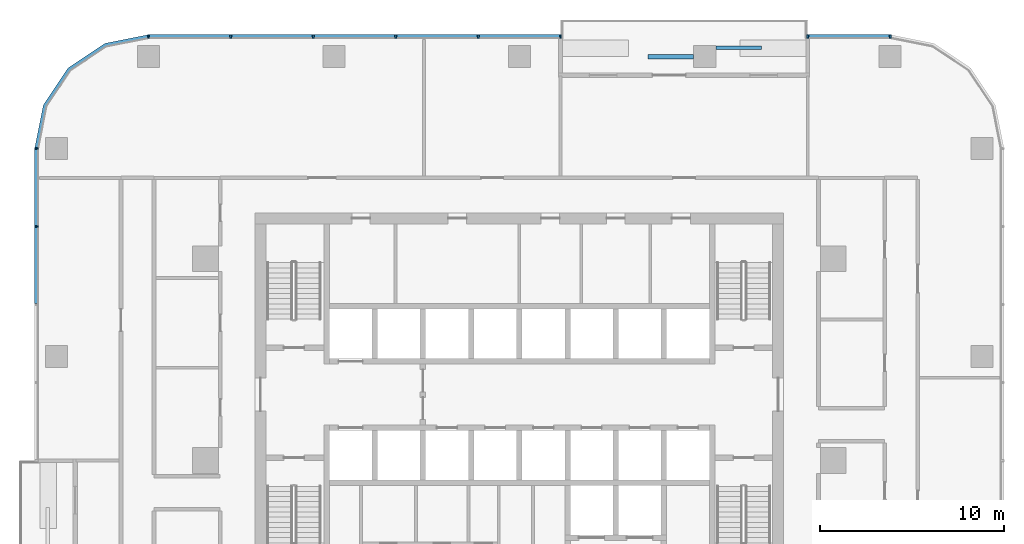
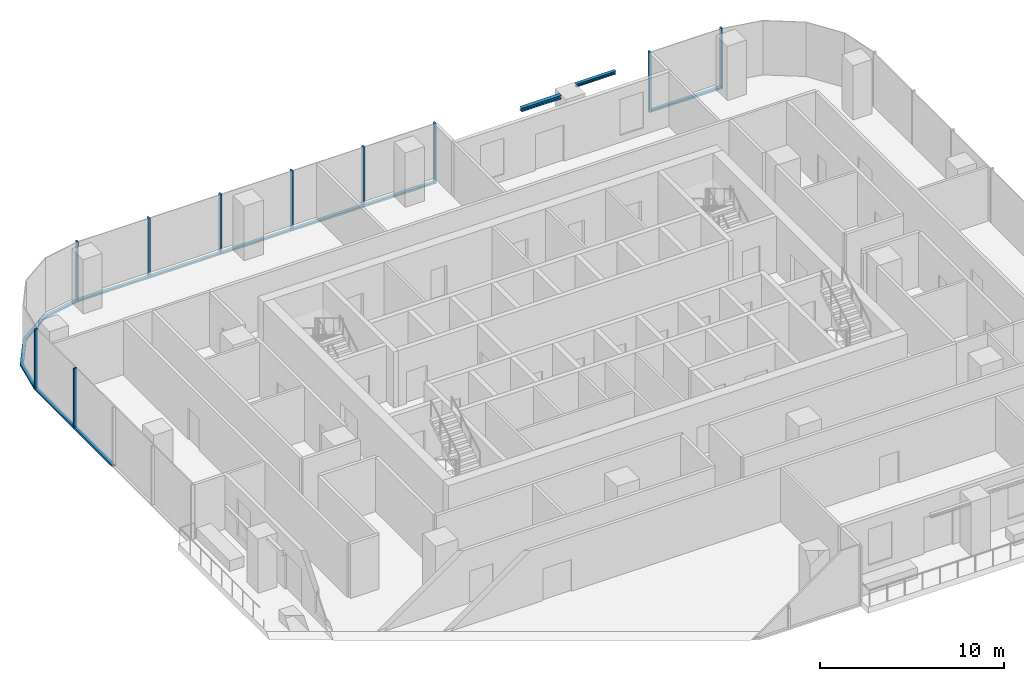
# One storey, part 4 of 14: 19 members, 2 beams, 4 elements without a shape of their own.
"""IFC4 building model written with IfcOpenShell, lengths in metres."""

import ifcopenshell
import ifcopenshell.guid

model = None  # the IFC model being written
_history = None  # IfcOwnerHistory: only IFC2X3 demands one
_inside = {}  # id of a spatial element -> (the spatial element, [elements in it])
_under = {}  # id of a project, library or spatial element -> (it, [spatial elements below it])
_declared = {}  # id of a project -> (the project, [libraries it declares])
_typed = {}  # id of a type object -> (the type object, [elements of that type])
_made_of = {}  # id of a material, layer set ... -> (it, [elements and type objects made of it])


def new_model(schema):
    """Start an empty IFC model of exactly this schema.

    Asked for "IFC4X3", IfcOpenShell would pick the latest addendum, in which some entities
    have other attributes; the version numbers below select the first issue.
    IFC2X3 requires an IfcOwnerHistory on every rooted entity: one is made here for all.
    """
    global model, _history
    if schema == "IFC4X3":
        model = ifcopenshell.file(schema_version=(4, 3, 0, 0))
    else:
        model = ifcopenshell.file(schema=schema)
    _inside.clear()
    _under.clear()
    _declared.clear()
    _typed.clear()
    _made_of.clear()
    _history = None
    if model.schema == "IFC2X3":
        org = make("IfcOrganization", Name="unknown")
        user = make(
            "IfcPersonAndOrganization",
            ThePerson=make("IfcPerson", FamilyName="unknown"),
            TheOrganization=org,
        )
        app = make(
            "IfcApplication",
            ApplicationDeveloper=org,
            Version="unknown",
            ApplicationFullName="unknown",
            ApplicationIdentifier="unknown",
        )
        _history = make(
            "IfcOwnerHistory",
            OwningUser=user,
            OwningApplication=app,
            ChangeAction="ADDED",
            CreationDate=0,
        )
    return model


def make(cls, **values):
    """One entity of the class cls with the attributes given. An attribute that is None is left unset."""
    return model.create_entity(
        cls, **{name: value for name, value in values.items() if value is not None}
    )


def rooted(cls, **values):
    """An entity with a GlobalId (a new one), such as an element, a storey or a relation."""
    return make(cls, GlobalId=ifcopenshell.guid.new(), OwnerHistory=_history, **values)


def si_unit(unit_type, name, prefix=None):
    """IfcSIUnit, for example si_unit("LENGTHUNIT", "METRE", prefix="MILLI")."""
    return make("IfcSIUnit", UnitType=unit_type, Prefix=prefix, Name=name)


def assignment(units):
    """IfcUnitAssignment: the units of a project."""
    return None if units is None else make("IfcUnitAssignment", Units=units)


def point(xyz):
    """IfcCartesianPoint."""
    return None if xyz is None else make("IfcCartesianPoint", Coordinates=xyz)


def direction(xyz):
    """IfcDirection."""
    return None if xyz is None else make("IfcDirection", DirectionRatios=xyz)


def frame(location, z_axis=None, x_axis=None):
    """IfcAxis2Placement3D, a coordinate frame: its origin and axes. An axis left out is left unset."""
    return make(
        "IfcAxis2Placement3D",
        Location=point(location),
        Axis=direction(z_axis),
        RefDirection=direction(x_axis),
    )


def frame_2d(location, x_axis=None):
    """IfcAxis2Placement2D, a coordinate frame in the plane: its origin and x axis."""
    return make(
        "IfcAxis2Placement2D", Location=point(location), RefDirection=direction(x_axis)
    )


def origin():
    """The frame at (0, 0, 0) with its axes left unset."""
    return frame((0.0, 0.0, 0.0))


def origin_2d():
    """The frame at (0, 0) in the plane with its x axis left unset."""
    return frame_2d((0.0, 0.0))


def place(relative_to, where):
    """IfcLocalPlacement: puts the frame where relative to a parent placement (None: the world)."""
    return make(
        "IfcLocalPlacement", PlacementRelTo=relative_to, RelativePlacement=where
    )


def context(
    kind, dimensions, precision=None, world=None, true_north=None, identifier=None
):
    """IfcGeometricRepresentationContext, for example the 3D "Model" context."""
    return make(
        "IfcGeometricRepresentationContext",
        ContextIdentifier=identifier,
        ContextType=kind,
        CoordinateSpaceDimension=dimensions,
        Precision=precision,
        WorldCoordinateSystem=world,
        TrueNorth=true_north,
    )


def subcontext(parent, identifier, kind, view, scale=None):
    """IfcGeometricRepresentationSubContext, for example "Body" below "Model"."""
    return make(
        "IfcGeometricRepresentationSubContext",
        ContextIdentifier=identifier,
        ContextType=kind,
        ParentContext=parent,
        TargetScale=scale,
        TargetView=view,
    )


def project(units=None, contexts=None):
    """IfcProject with its units and contexts."""
    return rooted(
        "IfcProject",
        Name="project",
        RepresentationContexts=contexts,
        UnitsInContext=assignment(units),
    )


def spatial(cls, under=None, at=None, **own):
    """A site, building, storey or space (cls), placed at a placement, below another one or the project."""
    s = rooted(cls, ObjectPlacement=at, **own)
    if under is not None:
        _under.setdefault(under.id(), (under, []))[1].append(s)
    return s


def polyline(points):
    """IfcPolyline through the points."""
    return make("IfcPolyline", Points=[point(p) for p in points])


def profile(cls, at=None, kind="AREA", **sizes):
    """A parametric profile (cls). Its sizes go by their IFC names, for example OverallWidth=200.0."""
    return make(cls, ProfileType=kind, Position=at, **sizes)


def rectangle(**sizes):
    """IfcRectangleProfileDef."""
    return profile("IfcRectangleProfileDef", **sizes)


def i_section(**sizes):
    """IfcIShapeProfileDef."""
    return profile("IfcIShapeProfileDef", **sizes)


def outline(outer, holes=None, kind="AREA"):
    """IfcArbitraryClosedProfileDef: a profile drawn as a closed curve; with holes, ...WithVoids."""
    if holes is None:
        return make("IfcArbitraryClosedProfileDef", ProfileType=kind, OuterCurve=outer)
    return make(
        "IfcArbitraryProfileDefWithVoids",
        ProfileType=kind,
        OuterCurve=outer,
        InnerCurves=holes,
    )


def extrude(swept, where, along, depth):
    """IfcExtrudedAreaSolid: the profile swept, set in the frame where, extruded along a direction by depth."""
    return make(
        "IfcExtrudedAreaSolid",
        SweptArea=swept,
        Position=where,
        ExtrudedDirection=direction(along),
        Depth=depth,
    )


def shape(context_of_items, identifier, shape_type, items):
    """IfcShapeRepresentation: the items that make up one representation, for example the "Body"."""
    return make(
        "IfcShapeRepresentation",
        ContextOfItems=context_of_items,
        RepresentationIdentifier=identifier,
        RepresentationType=shape_type,
        Items=items,
    )


def material(Name=None, Category=None):
    """IfcMaterial."""
    return make("IfcMaterial", Name=Name, Category=Category)


def material_profile(
    of_material, cross_section, Name=None, Category=None, Priority=None
):
    """IfcMaterialProfile: a cross section and its material."""
    return make(
        "IfcMaterialProfile",
        Name=Name,
        Material=of_material,
        Profile=cross_section,
        Priority=Priority,
        Category=Category,
    )


def profile_set(profiles, Name=None, composite=None):
    """IfcMaterialProfileSet."""
    return make(
        "IfcMaterialProfileSet",
        Name=Name,
        MaterialProfiles=profiles,
        CompositeProfile=composite,
    )


def made_of(thing, what):
    """Note that an element or type object is made of a material, layer set ...; save() writes the relation."""
    if what is not None:
        _made_of.setdefault(what.id(), (what, []))[1].append(thing)
    return thing


def type_object(cls, material=None, **own):
    """A type object (cls), such as IfcWallType, which elements share."""
    return made_of(rooted(cls, **own), material)


def element(
    cls,
    number,
    at=None,
    inside=None,
    cuts=None,
    type_object=None,
    material=None,
    context=None,
    identifier="Body",
    shape_type=None,
    held_by="IfcProductDefinitionShape",
    body=None,
    shapes=None,
    **own,
):
    """One element of the class cls, such as IfcWall. Its Tag is "e" and its number.

    at: its placement. inside: the storey or other place that contains it. cuts: it is an
    opening in that element (IfcRelVoidsElement). A single representation is given by context,
    identifier, shape_type and body (its items); several are given by shapes. held_by: the class
    of the entity that holds the representations. save() writes the other relations.
    """
    e = rooted(cls, Tag="e%d" % number, ObjectPlacement=at, **own)
    if body is not None:
        shapes = [shape(context, identifier, shape_type, body)]
    if shapes is not None:
        e.Representation = make(held_by, Representations=shapes)
    if inside is not None:
        _inside.setdefault(inside.id(), (inside, []))[1].append(e)
    if cuts is not None:
        rooted(
            "IfcRelVoidsElement", RelatingBuildingElement=cuts, RelatedOpeningElement=e
        )
    if type_object is not None:
        _typed.setdefault(type_object.id(), (type_object, []))[1].append(e)
    return made_of(e, material)


def aggregate(whole, parts):
    """IfcRelAggregates: a whole, such as a stair, and the parts it consists of."""
    return rooted("IfcRelAggregates", RelatingObject=whole, RelatedObjects=parts)


def save(model, path):
    """Write the relations noted so far, then the file.

    IfcRelAggregates (storeys below a building ...), IfcRelContainedInSpatialStructure (elements
    in a storey), IfcRelDefinesByType, IfcRelAssociatesMaterial and IfcRelDeclares: one each for
    every whole, place, type object, material and project.
    """
    for whole, parts in _under.values():
        aggregate(whole, parts)
    for where, things in _inside.values():
        rooted(
            "IfcRelContainedInSpatialStructure",
            RelatedElements=things,
            RelatingStructure=where,
        )
    for kind, things in _typed.values():
        rooted("IfcRelDefinesByType", RelatedObjects=things, RelatingType=kind)
    for what, things in _made_of.values():
        rooted("IfcRelAssociatesMaterial", RelatedObjects=things, RelatingMaterial=what)
    for by, libraries in _declared.values():
        rooted("IfcRelDeclares", RelatingContext=by, RelatedDefinitions=libraries)
    model.write(path)


model = new_model("IFC4")

# Units and contexts
model_context = context("Model", 3, precision=1e-05, world=origin(), true_north=direction((0.0, 1.0)))
body_context = subcontext(model_context, "Body", "Model", "MODEL_VIEW")
ifc_project = project(units=[si_unit("LENGTHUNIT", "METRE"), si_unit("AREAUNIT", "SQUARE_METRE"), si_unit("VOLUMEUNIT", "CUBIC_METRE"), si_unit("PLANEANGLEUNIT", "RADIAN"), si_unit("MASSUNIT", "GRAM", prefix="KILO")], contexts=[model_context])

# Site, building, storey
site_placement = place(None, origin())
site = spatial("IfcSite", under=ifc_project, at=site_placement, CompositionType="ELEMENT")
building_placement = place(site_placement, origin())
building = spatial("IfcBuilding", under=site, at=building_placement, Name="Mopane Tessera Tower", CompositionType="ELEMENT")
storey_placement = place(building_placement, frame((0.0, 0.0, 185.0)))
storey = spatial("IfcBuildingStorey", under=building, at=storey_placement, Name="L38", CompositionType="ELEMENT", Elevation=185.0)

# Curtain wall, members
ifc_material_1 = material(Name="Aluminium frame", Category="aluminium")
curtain_wall_type = type_object("IfcCurtainWallType", Name="Unitised curtain wall", PredefinedType="NOTDEFINED", material=ifc_material_1)
curtain_wall_1_placement = place(storey_placement, origin())
curtain_wall_1 = element("IfcCurtainWall", 1, at=curtain_wall_1_placement, inside=storey, type_object=curtain_wall_type, Name="e:cw:L38:N:0", PredefinedType="NOTDEFINED")
ifc_material_2 = material(Name="Aluminium frame", Category="aluminium")
ifc_material_profile_1 = material_profile(ifc_material_2, rectangle(XDim=0.10009765625, YDim=0.199951171875, at=origin_2d()))
ifc_profile_set_1 = profile_set([ifc_material_profile_1], Name="Aluminium frame")
member_type_1 = type_object("IfcMemberType", Name="Aluminium mullion 100 x 200", PredefinedType="MULLION", material=ifc_profile_set_1)
member_1_placement = place(storey_placement, frame((20.199951171875, 23.10009765625, -0.39990234375), z_axis=(0.0, 0.0, 1.0), x_axis=(-1.0, 0.0, 0.0)))
member_1 = element("IfcMember", 2, at=member_1_placement, type_object=member_type_1, Name="e:cw:L38:N:0:mu0", PredefinedType="MULLION", context=body_context, shape_type="SweptSolid", body=[
    extrude(rectangle(XDim=0.10009765625, YDim=0.199951171875, at=origin_2d()), origin(), (0.0, 0.0, 1.0), 4.0),
])
member_2_placement = place(storey_placement, frame((15.711181640625, 23.10009765625, -0.39990234375), z_axis=(0.0, 0.0, 1.0), x_axis=(-1.0, 0.0, 0.0)))
member_2 = element("IfcMember", 3, at=member_2_placement, type_object=member_type_1, Name="e:cw:L38:N:0:mu1", PredefinedType="MULLION", context=body_context, shape_type="SweptSolid", body=[
    extrude(rectangle(XDim=0.10009765625, YDim=0.199951171875, at=origin_2d()), origin(), (0.0, 0.0, 1.0), 4.0),
])

curtain_wall_2_placement = place(storey_placement, origin())
curtain_wall_2 = element("IfcCurtainWall", 4, at=curtain_wall_2_placement, inside=storey, type_object=curtain_wall_type, Name="e:cw:L38:N:4", PredefinedType="NOTDEFINED")
member_3_placement = place(storey_placement, frame((2.244384765625, 23.10009765625, -0.39990234375), z_axis=(0.0, 0.0, 1.0), x_axis=(-1.0, 0.0, 0.0)))
member_3 = element("IfcMember", 5, at=member_3_placement, type_object=member_type_1, Name="e:cw:L38:N:4:mu4", PredefinedType="MULLION", context=body_context, shape_type="SweptSolid", body=[
    extrude(rectangle(XDim=0.10009765625, YDim=0.199951171875, at=origin_2d()), origin(), (0.0, 0.0, 1.0), 4.0),
])
member_4_placement = place(storey_placement, frame((-2.244384765625, 23.10009765625, -0.39990234375), z_axis=(0.0, 0.0, 1.0), x_axis=(-1.0, 0.0, 0.0)))
member_4 = element("IfcMember", 6, at=member_4_placement, type_object=member_type_1, Name="e:cw:L38:N:4:mu5", PredefinedType="MULLION", context=body_context, shape_type="SweptSolid", body=[
    extrude(rectangle(XDim=0.10009765625, YDim=0.199951171875, at=origin_2d()), origin(), (0.0, 0.0, 1.0), 4.0),
])
member_5_placement = place(storey_placement, frame((-6.7333984375, 23.10009765625, -0.39990234375), z_axis=(0.0, 0.0, 1.0), x_axis=(-1.0, 0.0, 0.0)))
member_5 = element("IfcMember", 7, at=member_5_placement, type_object=member_type_1, Name="e:cw:L38:N:4:mu6", PredefinedType="MULLION", context=body_context, shape_type="SweptSolid", body=[
    extrude(rectangle(XDim=0.10009765625, YDim=0.199951171875, at=origin_2d()), origin(), (0.0, 0.0, 1.0), 4.0),
])
member_6_placement = place(storey_placement, frame((-11.22216796875, 23.10009765625, -0.39990234375), z_axis=(0.0, 0.0, 1.0), x_axis=(-1.0, 0.0, 0.0)))
member_6 = element("IfcMember", 8, at=member_6_placement, type_object=member_type_1, Name="e:cw:L38:N:4:mu7", PredefinedType="MULLION", context=body_context, shape_type="SweptSolid", body=[
    extrude(rectangle(XDim=0.10009765625, YDim=0.199951171875, at=origin_2d()), origin(), (0.0, 0.0, 1.0), 4.0),
])
member_7_placement = place(storey_placement, frame((-15.711181640625, 23.10009765625, -0.39990234375), z_axis=(0.0, 0.0, 1.0), x_axis=(-1.0, 0.0, 0.0)))
member_7 = element("IfcMember", 9, at=member_7_placement, type_object=member_type_1, Name="e:cw:L38:N:4:mu8", PredefinedType="MULLION", context=body_context, shape_type="SweptSolid", body=[
    extrude(rectangle(XDim=0.10009765625, YDim=0.199951171875, at=origin_2d()), origin(), (0.0, 0.0, 1.0), 4.0),
])
member_8_placement = place(storey_placement, frame((-20.199951171875, 23.10009765625, -0.39990234375), z_axis=(0.0, 0.0, 1.0), x_axis=(-1.0, 0.0, 0.0)))
member_8 = element("IfcMember", 10, at=member_8_placement, type_object=member_type_1, Name="e:cw:L38:N:4:mu9", PredefinedType="MULLION", context=body_context, shape_type="SweptSolid", body=[
    extrude(rectangle(XDim=0.10009765625, YDim=0.199951171875, at=origin_2d()), origin(), (0.0, 0.0, 1.0), 4.0),
])

curtain_wall_3_placement = place(storey_placement, origin())
curtain_wall_3 = element("IfcCurtainWall", 11, at=curtain_wall_3_placement, inside=storey, type_object=curtain_wall_type, Name="e:cw:L38:W:0", PredefinedType="NOTDEFINED")
member_9_placement = place(storey_placement, frame((-26.300048828125, 17.0, -0.39990234375), z_axis=(0.0, 0.0, 1.0), x_axis=(0.0, -1.0, 0.0)))
member_9 = element("IfcMember", 12, at=member_9_placement, type_object=member_type_1, Name="e:cw:L38:W:0:mu0", PredefinedType="MULLION", context=body_context, shape_type="SweptSolid", body=[
    extrude(rectangle(XDim=0.10009765625, YDim=0.199951171875, at=origin_2d()), origin(), (0.0, 0.0, 1.0), 4.0),
])
member_10_placement = place(storey_placement, frame((-26.300048828125, 12.75, -0.39990234375), z_axis=(0.0, 0.0, 1.0), x_axis=(0.0, -1.0, 0.0)))
member_10 = element("IfcMember", 13, at=member_10_placement, type_object=member_type_1, Name="e:cw:L38:W:0:mu1", PredefinedType="MULLION", context=body_context, shape_type="SweptSolid", body=[
    extrude(rectangle(XDim=0.10009765625, YDim=0.199951171875, at=origin_2d()), origin(), (0.0, 0.0, 1.0), 4.0),
])

# Member
ifc_material_3 = material(Name="Aluminium frame", Category="aluminium")
ifc_material_profile_2 = material_profile(ifc_material_3, rectangle(XDim=0.199951171875, YDim=0.1201171875, at=origin_2d()))
ifc_profile_set_2 = profile_set([ifc_material_profile_2], Name="Aluminium frame")
member_type_2 = type_object("IfcMemberType", Name="Aluminium transom 200 x 120", PredefinedType="USERDEFINED", material=ifc_profile_set_2)
member_11_placement = place(storey_placement, frame((20.14990234375, 23.10009765625, -0.340087890625), z_axis=(-1.0, 0.0, 0.0), x_axis=(0.0, -1.0, 0.0)))
member_11 = element("IfcMember", 14, at=member_11_placement, type_object=member_type_2, Name="e:cw:L38:N:0:tr0", ObjectType="TRANSOM", PredefinedType="USERDEFINED", context=body_context, shape_type="SweptSolid", body=[
    extrude(rectangle(XDim=0.199951171875, YDim=0.1201171875, at=origin_2d()), origin(), (0.0, 0.0, 1.0), 4.388671875),
])

aggregate(curtain_wall_1, [member_1, member_2, member_11])

member_12_placement = place(storey_placement, frame((2.1943359375, 23.10009765625, -0.340087890625), z_axis=(-1.0, 0.0, 0.0), x_axis=(0.0, -1.0, 0.0)))
member_12 = element("IfcMember", 15, at=member_12_placement, type_object=member_type_2, Name="e:cw:L38:N:4:tr4", ObjectType="TRANSOM", PredefinedType="USERDEFINED", context=body_context, shape_type="SweptSolid", body=[
    extrude(rectangle(XDim=0.199951171875, YDim=0.1201171875, at=origin_2d()), origin(), (0.0, 0.0, 1.0), 4.388671875),
])

member_13_placement = place(storey_placement, frame((-2.29443359375, 23.10009765625, -0.340087890625), z_axis=(-1.0, 0.0, 0.0), x_axis=(0.0, -1.0, 0.0)))
member_13 = element("IfcMember", 16, at=member_13_placement, type_object=member_type_2, Name="e:cw:L38:N:4:tr5", ObjectType="TRANSOM", PredefinedType="USERDEFINED", context=body_context, shape_type="SweptSolid", body=[
    extrude(rectangle(XDim=0.199951171875, YDim=0.1201171875, at=origin_2d()), origin(), (0.0, 0.0, 1.0), 4.388916015625),
])

member_14_placement = place(storey_placement, frame((-6.783447265625, 23.10009765625, -0.340087890625), z_axis=(-1.0, 0.0, 0.0), x_axis=(0.0, -1.0, 0.0)))
member_14 = element("IfcMember", 17, at=member_14_placement, type_object=member_type_2, Name="e:cw:L38:N:4:tr6", ObjectType="TRANSOM", PredefinedType="USERDEFINED", context=body_context, shape_type="SweptSolid", body=[
    extrude(rectangle(XDim=0.199951171875, YDim=0.1201171875, at=origin_2d()), origin(), (0.0, 0.0, 1.0), 4.388671875),
])

member_15_placement = place(storey_placement, frame((-11.272216796875, 23.10009765625, -0.340087890625), z_axis=(-1.0, 0.0, 0.0), x_axis=(0.0, -1.0, 0.0)))
member_15 = element("IfcMember", 18, at=member_15_placement, type_object=member_type_2, Name="e:cw:L38:N:4:tr7", ObjectType="TRANSOM", PredefinedType="USERDEFINED", context=body_context, shape_type="SweptSolid", body=[
    extrude(rectangle(XDim=0.199951171875, YDim=0.1201171875, at=origin_2d()), origin(), (0.0, 0.0, 1.0), 4.388916015625),
])

member_16_placement = place(storey_placement, frame((-15.76123046875, 23.10009765625, -0.340087890625), z_axis=(-1.0, 0.0, 0.0), x_axis=(0.0, -1.0, 0.0)))
member_16 = element("IfcMember", 19, at=member_16_placement, type_object=member_type_2, Name="e:cw:L38:N:4:tr8", ObjectType="TRANSOM", PredefinedType="USERDEFINED", context=body_context, shape_type="SweptSolid", body=[
    extrude(rectangle(XDim=0.199951171875, YDim=0.1201171875, at=origin_2d()), origin(), (0.0, 0.0, 1.0), 4.388671875),
])

aggregate(curtain_wall_2, [member_3, member_4, member_5, member_6, member_7, member_8, member_12, member_13, member_14, member_15, member_16])

# Curtain wall, member
curtain_wall_4_placement = place(storey_placement, origin())
curtain_wall_4 = element("IfcCurtainWall", 20, at=curtain_wall_4_placement, inside=storey, type_object=curtain_wall_type, Name="e:cw:L38:CN", PredefinedType="NOTDEFINED")
member_17_placement = place(storey_placement, frame((0.0, 0.0, -0.39990234375)))
member_17 = element("IfcMember", 21, at=member_17_placement, type_object=member_type_2, Name="e:cw:L38:CN:tr", ObjectType="TRANSOM", PredefinedType="USERDEFINED", context=body_context, shape_type="SweptSolid", body=[
    extrude(outline(polyline([(-20.199951171875, 23.0), (-22.49609375, 22.543212890625), (-24.442626953125, 21.24267578125), (-25.7431640625, 19.296142578125), (-26.199951171875, 17.0), (-26.39990234375, 17.0), (-25.927978515625, 19.37255859375), (-24.583984375, 21.384033203125), (-22.57275390625, 22.72802734375), (-20.199951171875, 23.199951171875), (-20.199951171875, 23.0)])), origin(), (0.0, 0.0, 1.0), 0.119873046875),
])
aggregate(curtain_wall_4, [member_17])

# Member
member_18_placement = place(storey_placement, frame((-26.300048828125, 16.949951171875, -0.340087890625), z_axis=(0.0, -1.0, 0.0), x_axis=(1.0, 0.0, 0.0)))
member_18 = element("IfcMember", 22, at=member_18_placement, type_object=member_type_2, Name="e:cw:L38:W:0:tr0", ObjectType="TRANSOM", PredefinedType="USERDEFINED", context=body_context, shape_type="SweptSolid", body=[
    extrude(rectangle(XDim=0.199951171875, YDim=0.1201171875, at=origin_2d()), origin(), (0.0, 0.0, 1.0), 4.14990234375),
])

member_19_placement = place(storey_placement, frame((-26.300048828125, 12.699951171875, -0.340087890625), z_axis=(0.0, -1.0, 0.0), x_axis=(1.0, 0.0, 0.0)))
member_19 = element("IfcMember", 23, at=member_19_placement, type_object=member_type_2, Name="e:cw:L38:W:0:tr1", ObjectType="TRANSOM", PredefinedType="USERDEFINED", context=body_context, shape_type="SweptSolid", body=[
    extrude(rectangle(XDim=0.199951171875, YDim=0.1201171875, at=origin_2d()), origin(), (0.0, 0.0, 1.0), 4.14990234375),
])

aggregate(curtain_wall_3, [member_9, member_10, member_18, member_19])

# Beams
ifc_material_4 = material(Name="Structural steel S460", Category="steel")
ifc_material_profile_3 = material_profile(ifc_material_4, i_section(OverallWidth=0.239990234375, OverallDepth=0.239990234375, WebThickness=0.010009765625, FlangeThickness=0.01708984375, FilletRadius=0.02099609375, at=origin_2d()))
ifc_profile_set_3 = profile_set([ifc_material_profile_3], Name="Structural steel S460")
beam_type_1 = type_object("IfcBeamType", Name="Terrace spandrel beam HE 240 B", PredefinedType="SPANDREL", material=ifc_profile_set_3)
beam_1_placement = place(storey_placement, frame((9.4970703125, 22.0, 3.47998046875), z_axis=(-1.0, 0.0, 0.0), x_axis=(0.0, -1.0, 0.0)))
element("IfcBeam", 24, at=beam_1_placement, inside=storey, type_object=beam_type_1, Name="Terrace spandrel beam N3 L39", PredefinedType="SPANDREL", context=body_context, shape_type="SweptSolid", body=[
    extrude(i_section(OverallWidth=0.239990234375, OverallDepth=0.239990234375, WebThickness=0.010009765625, FlangeThickness=0.01708984375, FilletRadius=0.02099609375, at=origin_2d()), origin(), (0.0, 0.0, 1.0), 2.5),
])
ifc_material_5 = material(Name="Structural steel S460", Category="steel")
ifc_material_profile_4 = material_profile(ifc_material_5, i_section(OverallWidth=0.199951171875, OverallDepth=0.199951171875, WebThickness=0.009033203125, FlangeThickness=0.014892578125, FilletRadius=0.01806640625, at=origin_2d()))
ifc_profile_set_4 = profile_set([ifc_material_profile_4], Name="Structural steel S460")
beam_type_2 = type_object("IfcBeamType", Name="Terrace trimmer beam HE 200 B", PredefinedType="BEAM", material=ifc_profile_set_4)
beam_2_placement = place(storey_placement, frame((10.703125, 22.47998046875, 3.5), z_axis=(1.0, 0.0, 0.0), x_axis=(0.0, 1.0, 0.0)))
element("IfcBeam", 25, at=beam_2_placement, inside=storey, type_object=beam_type_2, Name="Terrace trimmer beam N3 L39", PredefinedType="BEAM", context=body_context, shape_type="SweptSolid", body=[
    extrude(i_section(OverallWidth=0.199951171875, OverallDepth=0.199951171875, WebThickness=0.009033203125, FlangeThickness=0.014892578125, FilletRadius=0.01806640625, at=origin_2d()), origin(), (0.0, 0.0, 1.0), 2.5),
])

save(model, "model.ifc")
